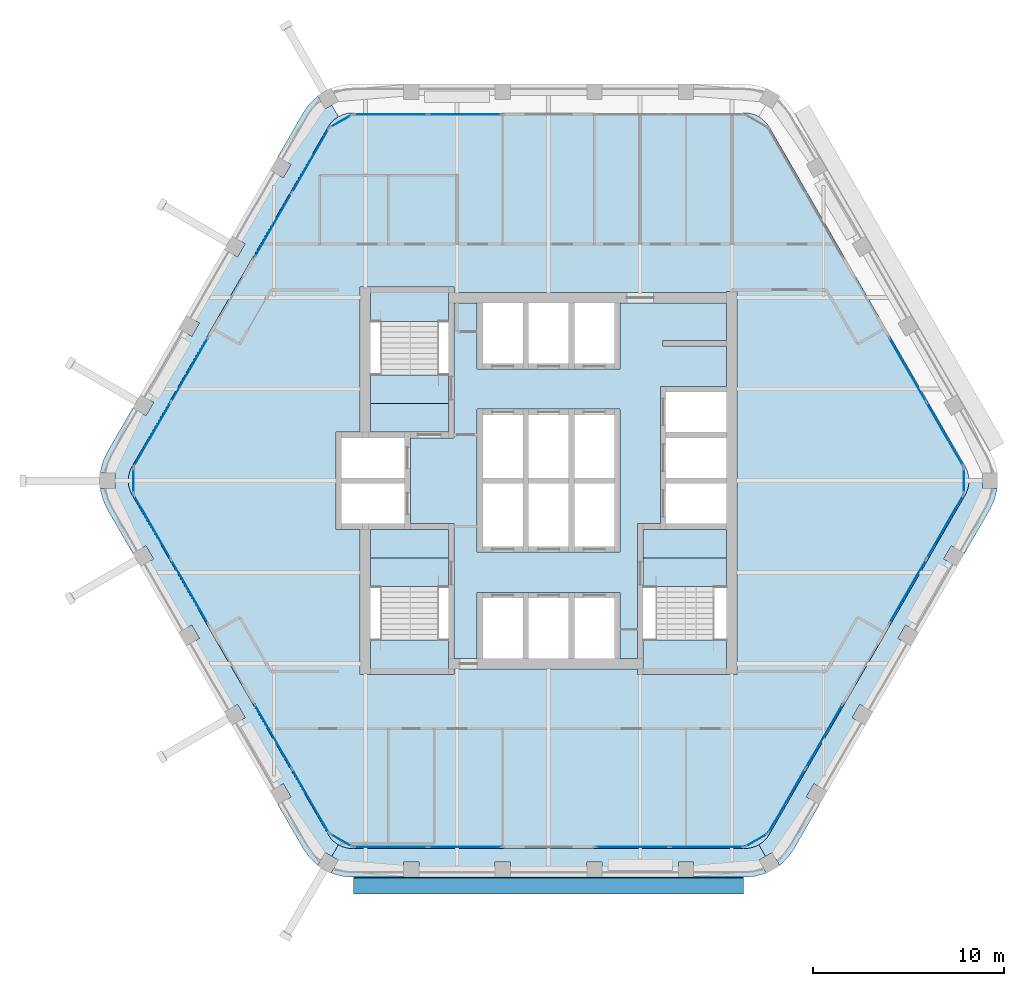
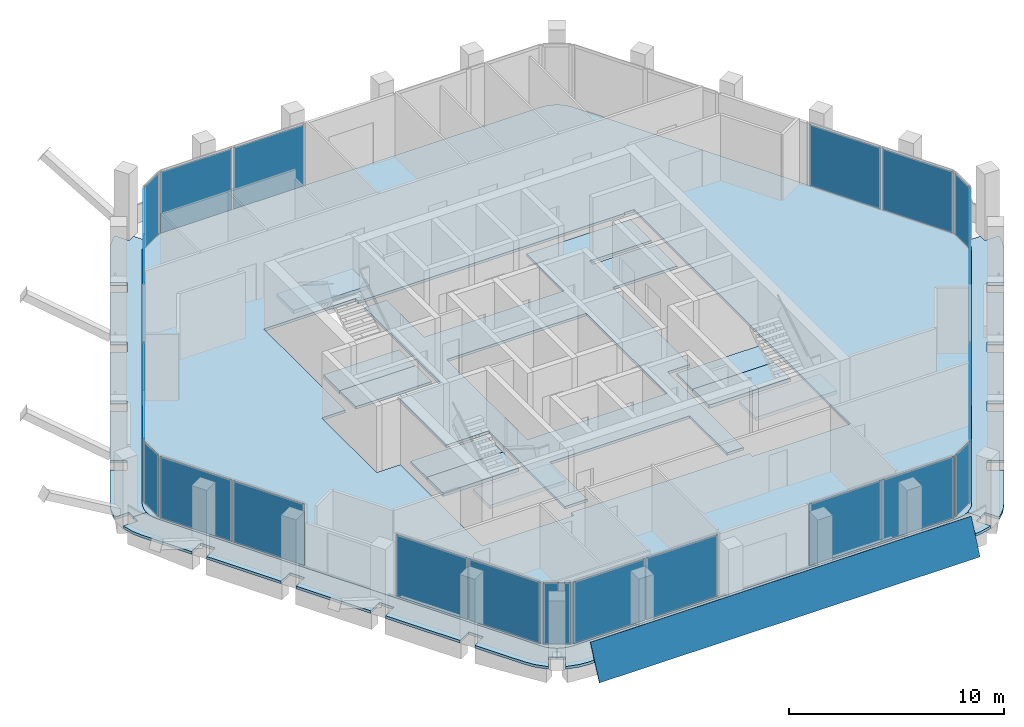
# One storey, part 6 of 14: 26 plates, 15 slabs, 18 elements without a shape of their own.
"""IFC4 building model written with IfcOpenShell, lengths in metres."""

from ifc_helpers import new_model, si_unit, direction, frame, origin, origin_2d, place, context, subcontext, project, spatial, polyline, rectangle, outline, extrude, material, layer, layer_set, type_object, element, aggregate, save


model = new_model("IFC4")

# Units and contexts
model_context = context("Model", 3, precision=1e-05, world=origin(), true_north=direction((0.0, 1.0)))
body_context = subcontext(model_context, "Body", "Model", "MODEL_VIEW")
ifc_project = project(units=[si_unit("LENGTHUNIT", "METRE"), si_unit("AREAUNIT", "SQUARE_METRE"), si_unit("VOLUMEUNIT", "CUBIC_METRE"), si_unit("PLANEANGLEUNIT", "RADIAN"), si_unit("MASSUNIT", "GRAM", prefix="KILO")], contexts=[model_context])

# Site, building, storey
site_placement = place(None, origin())
site = spatial("IfcSite", under=ifc_project, at=site_placement, CompositionType="ELEMENT")
building_placement = place(site_placement, origin())
building = spatial("IfcBuilding", under=site, at=building_placement, Name="Kolab Exchange Tower", CompositionType="ELEMENT")
storey_placement = place(building_placement, frame((0.0, 0.0, 234.5)))
storey = spatial("IfcBuildingStorey", under=building, at=storey_placement, Name="L51", CompositionType="ELEMENT", Elevation=234.5)

# Slabs
ifc_material_1 = material(Name="Concrete C35/45", Category="concrete")
ifc_layer_1 = layer(ifc_material_1, 0.14990234375)
ifc_layer_set_1 = layer_set([ifc_layer_1], Name="Concrete C35/45")
slab_type_1 = type_object("IfcSlabType", Name="FLOOR SLAB 150", PredefinedType="FLOOR", material=ifc_layer_set_1)
slab_1_placement = place(storey_placement, frame((0.0, 0.0, -0.14990234375)))
element("IfcSlab", 1, at=slab_1_placement, inside=storey, type_object=slab_type_1, Name="slab/L51/floor/0", PredefinedType="FLOOR", context=body_context, shape_type="SweptSolid", body=[
    extrude(outline(polyline([(11.56689453125, -18.53466796875), (21.8349609375, -0.75), (21.945556640625, -0.512939453125), (22.01318359375, -0.260498046875), (22.035888671875, 0.0), (22.01318359375, 0.260498046875), (21.945556640625, 0.512939453125), (21.8349609375, 0.75), (11.56689453125, 18.53466796875), (11.4169921875, 18.748779296875), (11.232177734375, 18.93359375), (11.01806640625, 19.083740234375), (10.781005859375, 19.194091796875), (10.5283203125, 19.26171875), (10.26806640625, 19.28466796875), (-10.26806640625, 19.28466796875), (-10.5283203125, 19.26171875), (-10.781005859375, 19.194091796875), (-11.01806640625, 19.083740234375), (-11.232177734375, 18.93359375), (-11.4169921875, 18.748779296875), (-11.56689453125, 18.53466796875), (-21.8349609375, 0.75), (-21.945556640625, 0.512939453125), (-22.01318359375, 0.260498046875), (-22.035888671875, 0.0), (-22.01318359375, -0.260498046875), (-21.945556640625, -0.512939453125), (-21.8349609375, -0.75), (-11.56689453125, -18.53466796875), (-11.4169921875, -18.748779296875), (-11.232177734375, -18.93359375), (-11.01806640625, -19.083740234375), (-10.781005859375, -19.194091796875), (-10.5283203125, -19.26171875), (-10.26806640625, -19.28466796875), (10.26806640625, -19.28466796875), (10.5283203125, -19.26171875), (10.781005859375, -19.194091796875), (11.01806640625, -19.083740234375), (11.232177734375, -18.93359375), (11.4169921875, -18.748779296875), (11.56689453125, -18.53466796875)]), holes=[polyline([(-9.324951171875, -10.14990234375), (-9.875, -10.14990234375), (-9.875, -2.550048828125), (-10.85009765625, -2.550048828125), (-11.14990234375, -2.550048828125), (-11.14990234375, 2.550048828125), (-10.85009765625, 2.550048828125), (-9.875, 2.550048828125), (-9.875, 10.14990234375), (-9.324951171875, 10.14990234375), (-5.25, 10.14990234375), (-4.949951171875, 10.14990234375), (-4.949951171875, 9.875), (9.324951171875, 9.875), (9.324951171875, 9.925048828125), (9.875, 9.925048828125), (9.875, -10.14990234375), (9.324951171875, -10.14990234375), (4.949951171875, -10.14990234375), (4.64990234375, -10.14990234375), (4.64990234375, -9.875), (-4.949951171875, -9.875), (-4.949951171875, -10.14990234375), (-5.25, -10.14990234375), (-9.324951171875, -10.14990234375)])]), origin(), (0.0, 0.0, 1.0), 0.14990234375),
])
slab_2_placement = place(storey_placement, frame((0.0, 0.0, -0.14990234375)))
element("IfcSlab", 2, at=slab_2_placement, inside=storey, type_object=slab_type_1, Name="slab/L51/floor/1", PredefinedType="FLOOR", context=body_context, shape_type="SweptSolid", body=[
    extrude(outline(polyline([(-4.949951171875, 9.324951171875), (-4.949951171875, 2.25), (-5.25, 2.25), (-7.25, 2.25), (-7.25, -2.25), (-5.25, -2.25), (-4.949951171875, -2.25), (-4.949951171875, -9.324951171875), (-3.75, -9.324951171875), (-3.75, -5.85009765625), (-3.449951171875, -5.85009765625), (-1.35009765625, -5.85009765625), (-1.050048828125, -5.85009765625), (1.050048828125, -5.85009765625), (1.35009765625, -5.85009765625), (3.449951171875, -5.85009765625), (3.75, -5.85009765625), (3.75, -9.324951171875), (4.64990234375, -9.324951171875), (4.64990234375, -2.25), (4.949951171875, -2.25), (5.85009765625, -2.25), (5.85009765625, 4.949951171875), (6.14990234375, 4.949951171875), (9.324951171875, 4.949951171875), (9.324951171875, 7.050048828125), (6.0, 7.050048828125), (6.0, 7.35009765625), (9.324951171875, 7.35009765625), (9.324951171875, 9.324951171875), (3.75, 9.324951171875), (3.75, 5.85009765625), (3.449951171875, 5.85009765625), (1.35009765625, 5.85009765625), (1.050048828125, 5.85009765625), (-1.050048828125, 5.85009765625), (-1.35009765625, 5.85009765625), (-3.449951171875, 5.85009765625), (-3.75, 5.85009765625), (-3.75, 9.324951171875), (-4.949951171875, 9.324951171875)]), holes=[polyline([(-3.449951171875, -3.75), (-3.75, -3.75), (-3.75, 3.75), (-3.449951171875, 3.75), (-1.35009765625, 3.75), (-1.050048828125, 3.75), (1.050048828125, 3.75), (1.35009765625, 3.75), (3.449951171875, 3.75), (3.75, 3.75), (3.75, -3.75), (3.449951171875, -3.75), (1.35009765625, -3.75), (1.050048828125, -3.75), (-1.050048828125, -3.75), (-1.35009765625, -3.75), (-3.449951171875, -3.75)])]), origin(), (0.0, 0.0, 1.0), 0.14990234375),
])
slab_3_placement = place(storey_placement, frame((0.0, 0.0, -0.14990234375)))
element("IfcSlab", 3, at=slab_3_placement, inside=storey, type_object=slab_type_1, Name="slab/L51/floor/2", PredefinedType="FLOOR", context=body_context, shape_type="SweptSolid", body=[
    extrude(outline(polyline([(4.949951171875, -2.550048828125), (4.949951171875, -4.050048828125), (9.324951171875, -4.050048828125), (9.324951171875, -2.550048828125), (6.14990234375, -2.550048828125), (5.85009765625, -2.550048828125), (4.949951171875, -2.550048828125)])), origin(), (0.0, 0.0, 1.0), 0.14990234375),
])
slab_4_placement = place(storey_placement, frame((0.0, 0.0, -0.14990234375)))
element("IfcSlab", 4, at=slab_4_placement, inside=storey, type_object=slab_type_1, Name="slab/L51/floor/3", PredefinedType="FLOOR", context=body_context, shape_type="SweptSolid", body=[
    extrude(outline(polyline([(-7.550048828125, -2.550048828125), (-9.324951171875, -2.550048828125), (-9.324951171875, -4.050048828125), (-5.25, -4.050048828125), (-5.25, -2.550048828125), (-7.25, -2.550048828125), (-7.550048828125, -2.550048828125)])), origin(), (0.0, 0.0, 1.0), 0.14990234375),
])
slab_5_placement = place(storey_placement, frame((0.0, 0.0, -0.14990234375)))
element("IfcSlab", 5, at=slab_5_placement, inside=storey, type_object=slab_type_1, Name="slab/L51/floor/4", PredefinedType="FLOOR", context=body_context, shape_type="SweptSolid", body=[
    extrude(outline(polyline([(-9.324951171875, 4.050048828125), (-9.324951171875, 2.550048828125), (-7.550048828125, 2.550048828125), (-7.25, 2.550048828125), (-5.25, 2.550048828125), (-5.25, 4.050048828125), (-9.324951171875, 4.050048828125)])), origin(), (0.0, 0.0, 1.0), 0.14990234375),
])
ifc_layer_2 = layer(ifc_material_1, 0.14990234375)
ifc_layer_set_2 = layer_set([ifc_layer_2], Name="Concrete C35/45")
slab_type_2 = type_object("IfcSlabType", Name="LOGGIA SLAB 150", PredefinedType="FLOOR", material=ifc_layer_set_2)
slab_6_placement = place(storey_placement, frame((0.0, 0.0, -0.14990234375)))
element("IfcSlab", 6, at=slab_6_placement, inside=storey, type_object=slab_type_2, Name="slab/L51/loggia/2-0", PredefinedType="FLOOR", context=body_context, shape_type="SweptSolid", body=[
    extrude(outline(polyline([(12.865966796875, -19.28466796875), (14.199951171875, -16.97412109375), (13.507080078125, -16.57421875), (13.9072265625, -15.88134765625), (14.60009765625, -16.28125), (16.60009765625, -12.817138671875), (15.9072265625, -12.417236328125), (16.30712890625, -11.724365234375), (17.0, -12.124267578125), (19.0, -8.66015625), (18.30712890625, -8.26025390625), (18.707275390625, -7.5673828125), (19.39990234375, -7.967529296875), (21.39990234375, -4.50341796875), (20.707275390625, -4.103271484375), (21.107177734375, -3.410400390625), (21.800048828125, -3.810546875), (23.134033203125, -1.5), (23.35498046875, -1.026123046875), (23.490234375, -0.52099609375), (23.5009765625, -0.39990234375), (22.73583984375, -0.39990234375), (22.73583984375, 0.0), (22.035888671875, 0.0), (22.01318359375, -0.260498046875), (21.945556640625, -0.512939453125), (21.8349609375, -0.75), (11.56689453125, -18.53466796875), (11.4169921875, -18.748779296875), (11.232177734375, -18.93359375), (11.01806640625, -19.083740234375), (11.367919921875, -19.68994140625), (11.71435546875, -19.48974609375), (12.096923828125, -20.15234375), (12.1962890625, -20.082763671875), (12.566162109375, -19.712890625), (12.865966796875, -19.28466796875)])), origin(), (0.0, 0.0, 1.0), 0.14990234375),
])
slab_7_placement = place(storey_placement, frame((0.0, 0.0, -0.14990234375)))
element("IfcSlab", 7, at=slab_7_placement, inside=storey, type_object=slab_type_2, Name="slab/L51/loggia/3-0", PredefinedType="FLOOR", context=body_context, shape_type="SweptSolid", body=[
    extrude(outline(polyline([(-11.01806640625, -19.083740234375), (-11.367919921875, -19.68994140625), (-11.021484375, -19.889892578125), (-11.404052734375, -20.552490234375), (-11.2939453125, -20.603759765625), (-10.788818359375, -20.739013671875), (-10.26806640625, -20.78466796875), (-7.60009765625, -20.78466796875), (-7.60009765625, -19.984619140625), (-6.800048828125, -19.984619140625), (-6.800048828125, -20.78466796875), (-2.800048828125, -20.78466796875), (-2.800048828125, -19.984619140625), (-2.0, -19.984619140625), (-2.0, -20.78466796875), (2.0, -20.78466796875), (2.0, -19.984619140625), (2.800048828125, -19.984619140625), (2.800048828125, -20.78466796875), (6.800048828125, -20.78466796875), (6.800048828125, -19.984619140625), (7.60009765625, -19.984619140625), (7.60009765625, -20.78466796875), (10.26806640625, -20.78466796875), (10.788818359375, -20.739013671875), (11.2939453125, -20.603759765625), (11.404052734375, -20.552490234375), (11.021484375, -19.889892578125), (11.367919921875, -19.68994140625), (11.01806640625, -19.083740234375), (10.781005859375, -19.194091796875), (10.5283203125, -19.26171875), (10.26806640625, -19.28466796875), (-10.26806640625, -19.28466796875), (-10.5283203125, -19.26171875), (-10.781005859375, -19.194091796875), (-11.01806640625, -19.083740234375)])), origin(), (0.0, 0.0, 1.0), 0.14990234375),
])
slab_8_placement = place(storey_placement, frame((0.0, 0.0, -0.14990234375)))
element("IfcSlab", 8, at=slab_8_placement, inside=storey, type_object=slab_type_2, Name="slab/L51/loggia/4-0", PredefinedType="FLOOR", context=body_context, shape_type="SweptSolid", body=[
    extrude(outline(polyline([(-22.035888671875, 0.0), (-22.73583984375, 0.0), (-22.73583984375, -0.39990234375), (-23.5009765625, -0.39990234375), (-23.490234375, -0.52099609375), (-23.35498046875, -1.026123046875), (-23.134033203125, -1.5), (-21.800048828125, -3.810546875), (-21.107177734375, -3.410400390625), (-20.707275390625, -4.103271484375), (-21.39990234375, -4.50341796875), (-19.39990234375, -7.967529296875), (-18.707275390625, -7.5673828125), (-18.30712890625, -8.26025390625), (-19.0, -8.66015625), (-17.0, -12.124267578125), (-16.30712890625, -11.724365234375), (-15.9072265625, -12.417236328125), (-16.60009765625, -12.817138671875), (-14.60009765625, -16.28125), (-13.9072265625, -15.88134765625), (-13.507080078125, -16.57421875), (-14.199951171875, -16.97412109375), (-12.865966796875, -19.28466796875), (-12.566162109375, -19.712890625), (-12.1962890625, -20.082763671875), (-12.096923828125, -20.15234375), (-11.71435546875, -19.48974609375), (-11.367919921875, -19.68994140625), (-11.01806640625, -19.083740234375), (-11.232177734375, -18.93359375), (-11.4169921875, -18.748779296875), (-11.56689453125, -18.53466796875), (-21.8349609375, -0.75), (-21.945556640625, -0.512939453125), (-22.01318359375, -0.260498046875), (-22.035888671875, 0.0)])), origin(), (0.0, 0.0, 1.0), 0.14990234375),
])
slab_9_placement = place(storey_placement, frame((0.0, 0.0, -0.14990234375)))
element("IfcSlab", 9, at=slab_9_placement, inside=storey, type_object=slab_type_2, Name="slab/L51/loggia/5-0", PredefinedType="FLOOR", context=body_context, shape_type="SweptSolid", body=[
    extrude(outline(polyline([(-11.01806640625, 19.083740234375), (-11.367919921875, 19.68994140625), (-11.71435546875, 19.48974609375), (-12.096923828125, 20.15234375), (-12.1962890625, 20.082763671875), (-12.566162109375, 19.712890625), (-12.865966796875, 19.28466796875), (-14.199951171875, 16.97412109375), (-13.507080078125, 16.57421875), (-13.9072265625, 15.88134765625), (-14.60009765625, 16.28125), (-16.60009765625, 12.817138671875), (-15.9072265625, 12.417236328125), (-16.30712890625, 11.724365234375), (-17.0, 12.124267578125), (-19.0, 8.66015625), (-18.30712890625, 8.26025390625), (-18.707275390625, 7.5673828125), (-19.39990234375, 7.967529296875), (-21.39990234375, 4.50341796875), (-20.707275390625, 4.103271484375), (-21.107177734375, 3.410400390625), (-21.800048828125, 3.810546875), (-23.134033203125, 1.5), (-23.35498046875, 1.026123046875), (-23.490234375, 0.52099609375), (-23.5009765625, 0.39990234375), (-22.73583984375, 0.39990234375), (-22.73583984375, 0.0), (-22.035888671875, 0.0), (-22.01318359375, 0.260498046875), (-21.945556640625, 0.512939453125), (-21.8349609375, 0.75), (-11.56689453125, 18.53466796875), (-11.4169921875, 18.748779296875), (-11.232177734375, 18.93359375), (-11.01806640625, 19.083740234375)])), origin(), (0.0, 0.0, 1.0), 0.14990234375),
])

# Plate
ifc_material_2 = material(Name="Laminated glass, clear", Category="glass")
ifc_layer_3 = layer(ifc_material_2, 0.0400390625)
ifc_layer_set_3 = layer_set([ifc_layer_3], Name="Laminated glass, clear")
plate_type_1 = type_object("IfcPlateType", Name="OUTER SKIN LAMINATED GLASS SHEET 40", PredefinedType="SHEET", material=ifc_layer_set_3)
plate_1_placement = place(storey_placement, frame((10.218017578125, -21.66015625, -0.68310546875), z_axis=(0.0, -0.906311853188, 0.422609541742), x_axis=(-1.0, 0.0, 0.0)))
element("IfcPlate", 10, at=plate_1_placement, inside=storey, type_object=plate_type_1, Name="Outer skin", PredefinedType="SHEET", context=body_context, shape_type="SweptSolid", body=[
    extrude(outline(polyline([(0.0, 0.0), (20.43603515625, 0.0), (20.43603515625, -1.9861252192534886), (0.0, -1.9861252192534886), (0.0, 0.0)])), origin(), (0.0, 0.0, -1.0), 0.0400390625),
])

# Stair, slabs
ifc_material_3 = material(Name="Concrete C50/60", Category="concrete")
stair_type_1 = type_object("IfcStairType", Name="STAIR ST1 RISER 177.3", PredefinedType="HALF_TURN_STAIR", material=ifc_material_3)
stair_1_placement = place(storey_placement, origin())
stair_1 = element("IfcStair", 11, at=stair_1_placement, inside=storey, type_object=stair_type_1, Name="Stair 1", PredefinedType="HALF_TURN_STAIR")
ifc_layer_4 = layer(ifc_material_3, 0.199951171875)
ifc_layer_set_4 = layer_set([ifc_layer_4], Name="Concrete C50/60")
slab_type_3 = type_object("IfcSlabType", Name="STAIR LANDING 200", PredefinedType="LANDING", material=ifc_layer_set_4)
slab_10_placement = place(storey_placement, frame((0.0, 0.0, -0.199951171875)))
slab_10 = element("IfcSlab", 12, at=slab_10_placement, type_object=slab_type_3, Name="ST1 landing 1", PredefinedType="LANDING", context=body_context, shape_type="SweptSolid", body=[
    extrude(outline(polyline([(-9.324951171875, 4.050048828125), (-5.25, 4.050048828125), (-5.25, 5.550048828125), (-9.324951171875, 5.550048828125), (-9.324951171875, 4.050048828125)])), origin(), (0.0, 0.0, 1.0), 0.199951171875),
])
slab_11_placement = place(storey_placement, frame((0.0, 0.0, 1.75)))
slab_11 = element("IfcSlab", 13, at=slab_11_placement, type_object=slab_type_3, Name="ST1 landing 2", PredefinedType="LANDING", context=body_context, shape_type="SweptSolid", body=[
    extrude(outline(polyline([(-9.324951171875, 8.35009765625), (-5.25, 8.35009765625), (-5.25, 9.909912109375), (-9.324951171875, 9.909912109375), (-9.324951171875, 8.35009765625)])), origin(), (0.0, 0.0, 1.0), 0.199951171875),
])
aggregate(stair_1, [slab_10, slab_11])

stair_type_2 = type_object("IfcStairType", Name="STAIR ST3 RISER 177.3", PredefinedType="HALF_TURN_STAIR", material=ifc_material_3)
stair_2_placement = place(storey_placement, origin())
stair_2 = element("IfcStair", 14, at=stair_2_placement, inside=storey, type_object=stair_type_2, Name="Stair 3", PredefinedType="HALF_TURN_STAIR")
slab_12_placement = place(storey_placement, frame((0.0, 0.0, -0.199951171875)))
slab_12 = element("IfcSlab", 15, at=slab_12_placement, type_object=slab_type_3, Name="ST3 landing 1", PredefinedType="LANDING", context=body_context, shape_type="SweptSolid", body=[
    extrude(outline(polyline([(-9.324951171875, -5.550048828125), (-5.25, -5.550048828125), (-5.25, -4.050048828125), (-9.324951171875, -4.050048828125), (-9.324951171875, -5.550048828125)])), origin(), (0.0, 0.0, 1.0), 0.199951171875),
])
slab_13_placement = place(storey_placement, frame((0.0, 0.0, 1.75)))
slab_13 = element("IfcSlab", 16, at=slab_13_placement, type_object=slab_type_3, Name="ST3 landing 2", PredefinedType="LANDING", context=body_context, shape_type="SweptSolid", body=[
    extrude(outline(polyline([(-9.324951171875, -9.909912109375), (-5.25, -9.909912109375), (-5.25, -8.35009765625), (-9.324951171875, -8.35009765625), (-9.324951171875, -9.909912109375)])), origin(), (0.0, 0.0, 1.0), 0.199951171875),
])
aggregate(stair_2, [slab_12, slab_13])

stair_type_3 = type_object("IfcStairType", Name="STAIR ST2 RISER 177.3", PredefinedType="HALF_TURN_STAIR", material=ifc_material_3)
stair_3_placement = place(storey_placement, origin())
stair_3 = element("IfcStair", 17, at=stair_3_placement, inside=storey, type_object=stair_type_3, Name="Stair 2", PredefinedType="HALF_TURN_STAIR")
slab_14_placement = place(storey_placement, frame((0.0, 0.0, -0.199951171875)))
slab_14 = element("IfcSlab", 18, at=slab_14_placement, type_object=slab_type_3, Name="ST2 landing 1", PredefinedType="LANDING", context=body_context, shape_type="SweptSolid", body=[
    extrude(outline(polyline([(4.949951171875, -5.550048828125), (9.324951171875, -5.550048828125), (9.324951171875, -4.050048828125), (4.949951171875, -4.050048828125), (4.949951171875, -5.550048828125)])), origin(), (0.0, 0.0, 1.0), 0.199951171875),
])
slab_15_placement = place(storey_placement, frame((0.0, 0.0, 1.75)))
slab_15 = element("IfcSlab", 19, at=slab_15_placement, type_object=slab_type_3, Name="ST2 landing 2", PredefinedType="LANDING", context=body_context, shape_type="SweptSolid", body=[
    extrude(outline(polyline([(4.949951171875, -9.909912109375), (9.324951171875, -9.909912109375), (9.324951171875, -8.35009765625), (4.949951171875, -8.35009765625), (4.949951171875, -9.909912109375)])), origin(), (0.0, 0.0, 1.0), 0.199951171875),
])
aggregate(stair_3, [slab_14, slab_15])

# Curtain wall, plates
ifc_material_4 = material(Name="Aluminium EN AW-6063 T6", Category="aluminium")
curtain_wall_type = type_object("IfcCurtainWallType", Name="UNITISED HIGH ZONE CURTAIN WALL", PredefinedType="NOTDEFINED", material=ifc_material_4)
curtain_wall_1_placement = place(storey_placement, origin())
curtain_wall_1 = element("IfcCurtainWall", 20, at=curtain_wall_1_placement, inside=storey, type_object=curtain_wall_type, Name="cw/L51/F1-1", PredefinedType="NOTDEFINED")
ifc_material_5 = material(Name="Clear insulated glazing unit", Category="glass")
ifc_layer_5 = layer(ifc_material_5, 0.030029296875)
ifc_layer_set_5 = layer_set([ifc_layer_5], Name="Clear insulated glazing unit")
plate_type_2 = type_object("IfcPlateType", Name="UNITISED HIGH ZONE GLASS PANEL 30", PredefinedType="CURTAIN_PANEL", material=ifc_layer_set_5)
plate_2_placement = place(storey_placement, frame((-8.285888671875, 19.20458984375, 0.06005859375), z_axis=(0.0, 0.0, 1.0), x_axis=(1.0, 0.0, 0.0)))
plate_2 = element("IfcPlate", 21, at=plate_2_placement, type_object=plate_type_2, Name="CW4 panel 1.1", PredefinedType="CURTAIN_PANEL", context=body_context, shape_type="SweptSolid", body=[
    extrude(rectangle(XDim=3.843994140625, YDim=0.030029296875, at=origin_2d()), origin(), (0.0, 0.0, 1.0), 3.47998046875),
])
plate_3_placement = place(storey_placement, frame((-4.382080078125, 19.20458984375, 0.06005859375), z_axis=(0.0, 0.0, 1.0), x_axis=(1.0, 0.0, 0.0)))
plate_3 = element("IfcPlate", 22, at=plate_3_placement, type_object=plate_type_2, Name="CW4 panel 2.1", PredefinedType="CURTAIN_PANEL", context=body_context, shape_type="SweptSolid", body=[
    extrude(rectangle(XDim=3.843994140625, YDim=0.030029296875, at=origin_2d()), origin(), (0.0, 0.0, 1.0), 3.47998046875),
])
aggregate(curtain_wall_1, [plate_2, plate_3])

curtain_wall_2_placement = place(storey_placement, origin())
curtain_wall_2 = element("IfcCurtainWall", 23, at=curtain_wall_2_placement, inside=storey, type_object=curtain_wall_type, Name="cw/L51/F2-2", PredefinedType="NOTDEFINED")
plate_4_placement = place(storey_placement, frame((18.82275390625, 5.807373046875, 0.06005859375), z_axis=(0.0, 0.0, 1.0), x_axis=(0.499999936366, -0.866025440524, 0.0)))
plate_4 = element("IfcPlate", 24, at=plate_4_placement, type_object=plate_type_2, Name="CW4 panel 1.1", PredefinedType="CURTAIN_PANEL", context=body_context, shape_type="SweptSolid", body=[
    extrude(rectangle(XDim=3.843994140625, YDim=0.030029296875, at=origin_2d()), origin(), (0.0, 0.0, 1.0), 3.47998046875),
])
plate_5_placement = place(storey_placement, frame((20.774658203125, 2.426513671875, 0.06005859375), z_axis=(0.0, 0.0, 1.0), x_axis=(0.499999936366, -0.866025440524, 0.0)))
plate_5 = element("IfcPlate", 25, at=plate_5_placement, type_object=plate_type_2, Name="CW4 panel 2.1", PredefinedType="CURTAIN_PANEL", context=body_context, shape_type="SweptSolid", body=[
    extrude(rectangle(XDim=3.843994140625, YDim=0.030029296875, at=origin_2d()), origin(), (0.0, 0.0, 1.0), 3.47998046875),
])
aggregate(curtain_wall_2, [plate_4, plate_5])

curtain_wall_3_placement = place(storey_placement, origin())
curtain_wall_3 = element("IfcCurtainWall", 26, at=curtain_wall_3_placement, inside=storey, type_object=curtain_wall_type, Name="cw/L51/F3-1", PredefinedType="NOTDEFINED")
plate_6_placement = place(storey_placement, frame((20.774658203125, -2.426513671875, 0.06005859375), z_axis=(0.0, 0.0, 1.0), x_axis=(-0.499999936366, -0.866025440524, 0.0)))
plate_6 = element("IfcPlate", 27, at=plate_6_placement, type_object=plate_type_2, Name="CW4 panel 1.1", PredefinedType="CURTAIN_PANEL", context=body_context, shape_type="SweptSolid", body=[
    extrude(rectangle(XDim=3.843994140625, YDim=0.030029296875, at=origin_2d()), origin(), (0.0, 0.0, 1.0), 3.47998046875),
])
plate_7_placement = place(storey_placement, frame((18.82275390625, -5.807373046875, 0.06005859375), z_axis=(0.0, 0.0, 1.0), x_axis=(-0.499999936366, -0.866025440524, 0.0)))
plate_7 = element("IfcPlate", 28, at=plate_7_placement, type_object=plate_type_2, Name="CW4 panel 2.1", PredefinedType="CURTAIN_PANEL", context=body_context, shape_type="SweptSolid", body=[
    extrude(rectangle(XDim=3.843994140625, YDim=0.030029296875, at=origin_2d()), origin(), (0.0, 0.0, 1.0), 3.47998046875),
])
aggregate(curtain_wall_3, [plate_6, plate_7])

curtain_wall_4_placement = place(storey_placement, origin())
curtain_wall_4 = element("IfcCurtainWall", 29, at=curtain_wall_4_placement, inside=storey, type_object=curtain_wall_type, Name="cw/L51/F3-2", PredefinedType="NOTDEFINED")
plate_8_placement = place(storey_placement, frame((14.440673828125, -13.397216796875, 0.06005859375), z_axis=(0.0, 0.0, 1.0), x_axis=(-0.500000031681, -0.866025385493, 0.0)))
plate_8 = element("IfcPlate", 30, at=plate_8_placement, type_object=plate_type_2, Name="CW4 panel 1.1", PredefinedType="CURTAIN_PANEL", context=body_context, shape_type="SweptSolid", body=[
    extrude(rectangle(XDim=3.843994140625, YDim=0.030029296875, at=origin_2d()), origin(), (0.0, 0.0, 1.0), 3.47998046875),
])
plate_9_placement = place(storey_placement, frame((12.48876953125, -16.778076171875, 0.06005859375), z_axis=(0.0, 0.0, 1.0), x_axis=(-0.500000031681, -0.866025385493, 0.0)))
plate_9 = element("IfcPlate", 31, at=plate_9_placement, type_object=plate_type_2, Name="CW4 panel 2.1", PredefinedType="CURTAIN_PANEL", context=body_context, shape_type="SweptSolid", body=[
    extrude(rectangle(XDim=3.843994140625, YDim=0.030029296875, at=origin_2d()), origin(), (0.0, 0.0, 1.0), 3.47998046875),
])
aggregate(curtain_wall_4, [plate_8, plate_9])

curtain_wall_5_placement = place(storey_placement, origin())
curtain_wall_5 = element("IfcCurtainWall", 32, at=curtain_wall_5_placement, inside=storey, type_object=curtain_wall_type, Name="cw/L51/F4-1", PredefinedType="NOTDEFINED")
plate_10_placement = place(storey_placement, frame((8.285888671875, -19.20458984375, 0.06005859375), z_axis=(0.0, 0.0, 1.0), x_axis=(-1.0, 0.0, 0.0)))
plate_10 = element("IfcPlate", 33, at=plate_10_placement, type_object=plate_type_2, Name="CW4 panel 1.1", PredefinedType="CURTAIN_PANEL", context=body_context, shape_type="SweptSolid", body=[
    extrude(rectangle(XDim=3.843994140625, YDim=0.030029296875, at=origin_2d()), origin(), (0.0, 0.0, 1.0), 3.47998046875),
])
plate_11_placement = place(storey_placement, frame((4.382080078125, -19.20458984375, 0.06005859375), z_axis=(0.0, 0.0, 1.0), x_axis=(-1.0, 0.0, 0.0)))
plate_11 = element("IfcPlate", 34, at=plate_11_placement, type_object=plate_type_2, Name="CW4 panel 2.1", PredefinedType="CURTAIN_PANEL", context=body_context, shape_type="SweptSolid", body=[
    extrude(rectangle(XDim=3.843994140625, YDim=0.030029296875, at=origin_2d()), origin(), (0.0, 0.0, 1.0), 3.47998046875),
])
aggregate(curtain_wall_5, [plate_10, plate_11])

curtain_wall_6_placement = place(storey_placement, origin())
curtain_wall_6 = element("IfcCurtainWall", 35, at=curtain_wall_6_placement, inside=storey, type_object=curtain_wall_type, Name="cw/L51/F4-2", PredefinedType="NOTDEFINED")
plate_12_placement = place(storey_placement, frame((-4.382080078125, -19.20458984375, 0.06005859375), z_axis=(0.0, 0.0, 1.0), x_axis=(-1.0, 0.0, 0.0)))
plate_12 = element("IfcPlate", 36, at=plate_12_placement, type_object=plate_type_2, Name="CW4 panel 1.1", PredefinedType="CURTAIN_PANEL", context=body_context, shape_type="SweptSolid", body=[
    extrude(rectangle(XDim=3.843994140625, YDim=0.030029296875, at=origin_2d()), origin(), (0.0, 0.0, 1.0), 3.47998046875),
])
plate_13_placement = place(storey_placement, frame((-8.285888671875, -19.20458984375, 0.06005859375), z_axis=(0.0, 0.0, 1.0), x_axis=(-1.0, 0.0, 0.0)))
plate_13 = element("IfcPlate", 37, at=plate_13_placement, type_object=plate_type_2, Name="CW4 panel 2.1", PredefinedType="CURTAIN_PANEL", context=body_context, shape_type="SweptSolid", body=[
    extrude(rectangle(XDim=3.843994140625, YDim=0.030029296875, at=origin_2d()), origin(), (0.0, 0.0, 1.0), 3.47998046875),
])
aggregate(curtain_wall_6, [plate_12, plate_13])

curtain_wall_7_placement = place(storey_placement, origin())
curtain_wall_7 = element("IfcCurtainWall", 38, at=curtain_wall_7_placement, inside=storey, type_object=curtain_wall_type, Name="cw/L51/F5-1", PredefinedType="NOTDEFINED")
plate_14_placement = place(storey_placement, frame((-12.48876953125, -16.778076171875, 0.06005859375), z_axis=(0.0, 0.0, 1.0), x_axis=(-0.500000031681, 0.866025385493, 0.0)))
plate_14 = element("IfcPlate", 39, at=plate_14_placement, type_object=plate_type_2, Name="CW4 panel 1.1", PredefinedType="CURTAIN_PANEL", context=body_context, shape_type="SweptSolid", body=[
    extrude(rectangle(XDim=3.843994140625, YDim=0.030029296875, at=origin_2d()), origin(), (0.0, 0.0, 1.0), 3.47998046875),
])
plate_15_placement = place(storey_placement, frame((-14.440673828125, -13.397216796875, 0.06005859375), z_axis=(0.0, 0.0, 1.0), x_axis=(-0.500000031681, 0.866025385493, 0.0)))
plate_15 = element("IfcPlate", 40, at=plate_15_placement, type_object=plate_type_2, Name="CW4 panel 2.1", PredefinedType="CURTAIN_PANEL", context=body_context, shape_type="SweptSolid", body=[
    extrude(rectangle(XDim=3.843994140625, YDim=0.030029296875, at=origin_2d()), origin(), (0.0, 0.0, 1.0), 3.47998046875),
])
aggregate(curtain_wall_7, [plate_14, plate_15])

curtain_wall_8_placement = place(storey_placement, origin())
curtain_wall_8 = element("IfcCurtainWall", 41, at=curtain_wall_8_placement, inside=storey, type_object=curtain_wall_type, Name="cw/L51/F5-2", PredefinedType="NOTDEFINED")
plate_16_placement = place(storey_placement, frame((-18.82275390625, -5.807373046875, 0.06005859375), z_axis=(0.0, 0.0, 1.0), x_axis=(-0.499999936366, 0.866025440524, 0.0)))
plate_16 = element("IfcPlate", 42, at=plate_16_placement, type_object=plate_type_2, Name="CW4 panel 1.1", PredefinedType="CURTAIN_PANEL", context=body_context, shape_type="SweptSolid", body=[
    extrude(rectangle(XDim=3.843994140625, YDim=0.030029296875, at=origin_2d()), origin(), (0.0, 0.0, 1.0), 3.47998046875),
])
plate_17_placement = place(storey_placement, frame((-20.774658203125, -2.426513671875, 0.06005859375), z_axis=(0.0, 0.0, 1.0), x_axis=(-0.499999936366, 0.866025440524, 0.0)))
plate_17 = element("IfcPlate", 43, at=plate_17_placement, type_object=plate_type_2, Name="CW4 panel 2.1", PredefinedType="CURTAIN_PANEL", context=body_context, shape_type="SweptSolid", body=[
    extrude(rectangle(XDim=3.843994140625, YDim=0.030029296875, at=origin_2d()), origin(), (0.0, 0.0, 1.0), 3.47998046875),
])
aggregate(curtain_wall_8, [plate_16, plate_17])

curtain_wall_9_placement = place(storey_placement, origin())
curtain_wall_9 = element("IfcCurtainWall", 44, at=curtain_wall_9_placement, inside=storey, type_object=curtain_wall_type, Name="cw/L51/F6-1", PredefinedType="NOTDEFINED")
plate_18_placement = place(storey_placement, frame((-20.774658203125, 2.426513671875, 0.06005859375), z_axis=(0.0, 0.0, 1.0), x_axis=(0.499999936366, 0.866025440524, 0.0)))
plate_18 = element("IfcPlate", 45, at=plate_18_placement, type_object=plate_type_2, Name="CW4 panel 1.1", PredefinedType="CURTAIN_PANEL", context=body_context, shape_type="SweptSolid", body=[
    extrude(rectangle(XDim=3.843994140625, YDim=0.030029296875, at=origin_2d()), origin(), (0.0, 0.0, 1.0), 3.47998046875),
])
plate_19_placement = place(storey_placement, frame((-18.82275390625, 5.807373046875, 0.06005859375), z_axis=(0.0, 0.0, 1.0), x_axis=(0.499999936366, 0.866025440524, 0.0)))
plate_19 = element("IfcPlate", 46, at=plate_19_placement, type_object=plate_type_2, Name="CW4 panel 2.1", PredefinedType="CURTAIN_PANEL", context=body_context, shape_type="SweptSolid", body=[
    extrude(rectangle(XDim=3.843994140625, YDim=0.030029296875, at=origin_2d()), origin(), (0.0, 0.0, 1.0), 3.47998046875),
])
aggregate(curtain_wall_9, [plate_18, plate_19])

curtain_wall_10_placement = place(storey_placement, origin())
curtain_wall_10 = element("IfcCurtainWall", 47, at=curtain_wall_10_placement, inside=storey, type_object=curtain_wall_type, Name="cw/L51/F6-2", PredefinedType="NOTDEFINED")
plate_20_placement = place(storey_placement, frame((-14.440673828125, 13.397216796875, 0.06005859375), z_axis=(0.0, 0.0, 1.0), x_axis=(0.500000031681, 0.866025385493, 0.0)))
plate_20 = element("IfcPlate", 48, at=plate_20_placement, type_object=plate_type_2, Name="CW4 panel 1.1", PredefinedType="CURTAIN_PANEL", context=body_context, shape_type="SweptSolid", body=[
    extrude(rectangle(XDim=3.843994140625, YDim=0.030029296875, at=origin_2d()), origin(), (0.0, 0.0, 1.0), 3.47998046875),
])
plate_21_placement = place(storey_placement, frame((-12.48876953125, 16.778076171875, 0.06005859375), z_axis=(0.0, 0.0, 1.0), x_axis=(0.500000031681, 0.866025385493, 0.0)))
plate_21 = element("IfcPlate", 49, at=plate_21_placement, type_object=plate_type_2, Name="CW4 panel 2.1", PredefinedType="CURTAIN_PANEL", context=body_context, shape_type="SweptSolid", body=[
    extrude(rectangle(XDim=3.843994140625, YDim=0.030029296875, at=origin_2d()), origin(), (0.0, 0.0, 1.0), 3.47998046875),
])
aggregate(curtain_wall_10, [plate_20, plate_21])

# Curtain wall, plate
curtain_wall_11_placement = place(storey_placement, origin())
curtain_wall_11 = element("IfcCurtainWall", 50, at=curtain_wall_11_placement, inside=storey, type_object=curtain_wall_type, Name="cw/L51/F2F3-corner", PredefinedType="NOTDEFINED")
plate_22_placement = place(storey_placement, frame((21.765625, 0.0, 0.06005859375), z_axis=(0.0, 0.0, 1.0), x_axis=(0.0, -1.0, 0.0)))
plate_22 = element("IfcPlate", 51, at=plate_22_placement, type_object=plate_type_2, Name="CW4 panel 1.1", PredefinedType="CURTAIN_PANEL", context=body_context, shape_type="SweptSolid", body=[
    extrude(rectangle(XDim=1.300048828125, YDim=0.030029296875, at=origin_2d()), origin(), (0.0, 0.0, 1.0), 3.47998046875),
])
aggregate(curtain_wall_11, [plate_22])

curtain_wall_12_placement = place(storey_placement, origin())
curtain_wall_12 = element("IfcCurtainWall", 52, at=curtain_wall_12_placement, inside=storey, type_object=curtain_wall_type, Name="cw/L51/F3F4-corner", PredefinedType="NOTDEFINED")
plate_23_placement = place(storey_placement, frame((10.8828125, -18.849609375, 0.06005859375), z_axis=(0.0, 0.0, 1.0), x_axis=(-0.866025390869, -0.50000002237, 0.0)))
plate_23 = element("IfcPlate", 53, at=plate_23_placement, type_object=plate_type_2, Name="CW4 panel 1.1", PredefinedType="CURTAIN_PANEL", context=body_context, shape_type="SweptSolid", body=[
    extrude(rectangle(XDim=1.300048828125, YDim=0.030029296875, at=origin_2d()), origin(), (0.0, 0.0, 1.0), 3.47998046875),
])
aggregate(curtain_wall_12, [plate_23])

curtain_wall_13_placement = place(storey_placement, origin())
curtain_wall_13 = element("IfcCurtainWall", 54, at=curtain_wall_13_placement, inside=storey, type_object=curtain_wall_type, Name="cw/L51/F4F5-corner", PredefinedType="NOTDEFINED")
plate_24_placement = place(storey_placement, frame((-10.8828125, -18.849609375, 0.06005859375), z_axis=(0.0, 0.0, 1.0), x_axis=(-0.866025390869, 0.50000002237, 0.0)))
plate_24 = element("IfcPlate", 55, at=plate_24_placement, type_object=plate_type_2, Name="CW4 panel 1.1", PredefinedType="CURTAIN_PANEL", context=body_context, shape_type="SweptSolid", body=[
    extrude(rectangle(XDim=1.300048828125, YDim=0.030029296875, at=origin_2d()), origin(), (0.0, 0.0, 1.0), 3.47998046875),
])
aggregate(curtain_wall_13, [plate_24])

curtain_wall_14_placement = place(storey_placement, origin())
curtain_wall_14 = element("IfcCurtainWall", 56, at=curtain_wall_14_placement, inside=storey, type_object=curtain_wall_type, Name="cw/L51/F5F6-corner", PredefinedType="NOTDEFINED")
plate_25_placement = place(storey_placement, frame((-21.765625, 0.0, 0.06005859375), z_axis=(0.0, 0.0, 1.0), x_axis=(0.0, 1.0, 0.0)))
plate_25 = element("IfcPlate", 57, at=plate_25_placement, type_object=plate_type_2, Name="CW4 panel 1.1", PredefinedType="CURTAIN_PANEL", context=body_context, shape_type="SweptSolid", body=[
    extrude(rectangle(XDim=1.300048828125, YDim=0.030029296875, at=origin_2d()), origin(), (0.0, 0.0, 1.0), 3.47998046875),
])
aggregate(curtain_wall_14, [plate_25])

curtain_wall_15_placement = place(storey_placement, origin())
curtain_wall_15 = element("IfcCurtainWall", 58, at=curtain_wall_15_placement, inside=storey, type_object=curtain_wall_type, Name="cw/L51/F6F1-corner", PredefinedType="NOTDEFINED")
plate_26_placement = place(storey_placement, frame((-10.8828125, 18.849609375, 0.06005859375), z_axis=(0.0, 0.0, 1.0), x_axis=(0.866025390869, 0.50000002237, 0.0)))
plate_26 = element("IfcPlate", 59, at=plate_26_placement, type_object=plate_type_2, Name="CW4 panel 1.1", PredefinedType="CURTAIN_PANEL", context=body_context, shape_type="SweptSolid", body=[
    extrude(rectangle(XDim=1.300048828125, YDim=0.030029296875, at=origin_2d()), origin(), (0.0, 0.0, 1.0), 3.47998046875),
])
aggregate(curtain_wall_15, [plate_26])

save(model, "model.ifc")
